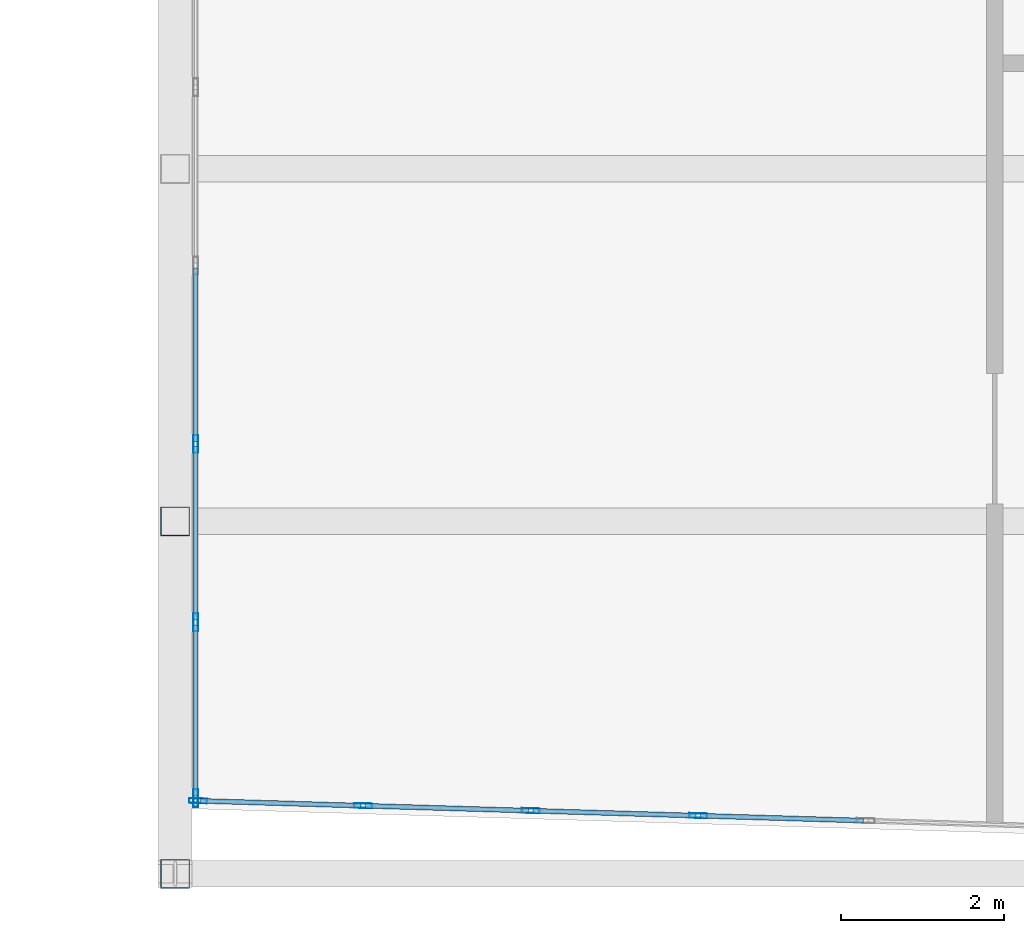
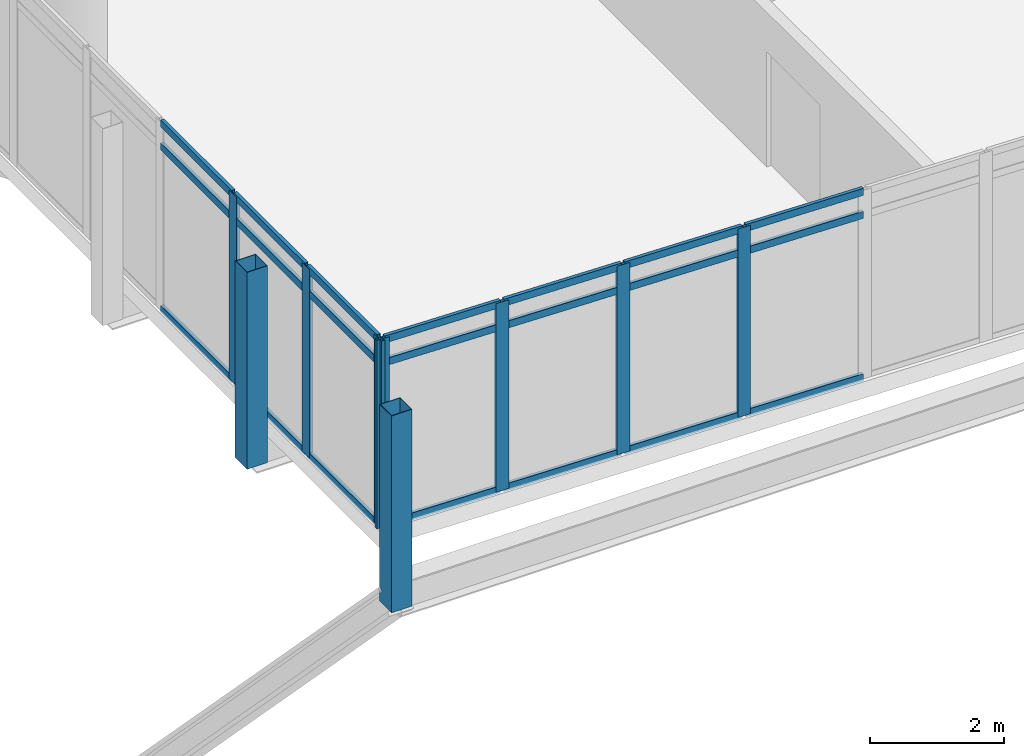
# One storey, part 2 of 37: 30 members, 2 elements without a shape of their own.
"""IFC4 building model written with IfcOpenShell, lengths in metres."""

from ifc_helpers import new_model, si_unit, direction, frame, origin, origin_2d, place, context, subcontext, project, spatial, hollow_rectangle, extrude, material, material_profile, profile_set, type_object, element, aggregate, save


model = new_model("IFC4")

# Units and contexts
model_context = context("Model", 3, precision=1e-05, world=origin(), true_north=direction((0.0, 1.0)))
body_context = subcontext(model_context, "Body", "Model", "MODEL_VIEW")
ifc_project = project(units=[si_unit("LENGTHUNIT", "METRE"), si_unit("AREAUNIT", "SQUARE_METRE"), si_unit("VOLUMEUNIT", "CUBIC_METRE"), si_unit("PLANEANGLEUNIT", "RADIAN"), si_unit("MASSUNIT", "GRAM", prefix="KILO")], contexts=[model_context])

# Site, building, storey
site_placement = place(None, origin())
site = spatial("IfcSite", under=ifc_project, at=site_placement, CompositionType="ELEMENT")
building_placement = place(site_placement, origin())
building = spatial("IfcBuilding", under=site, at=building_placement, Name="Ostrander Bayou Hotel Tower", CompositionType="ELEMENT")
storey_placement = place(building_placement, frame((0.0, 0.0, 131.0)))
storey = spatial("IfcBuildingStorey", under=building, at=storey_placement, Name="L32", CompositionType="ELEMENT", Elevation=131.0)

# Curtain wall, members
ifc_material_1 = material(Name="Aluminium and clear glass", Category="aluminium")
curtain_wall_type = type_object("IfcCurtainWallType", Name="CW-BAR glazed wall", PredefinedType="NOTDEFINED", material=ifc_material_1)
curtain_wall_1_placement = place(storey_placement, origin())
curtain_wall_1 = element("IfcCurtainWall", 1, at=curtain_wall_1_placement, inside=storey, type_object=curtain_wall_type, Name="CW-BAR L32:SB3S:E", PredefinedType="NOTDEFINED")
ifc_material_2 = material(Name="Aluminium", Category="aluminium")
ifc_material_profile_1 = material_profile(ifc_material_2, hollow_rectangle(XDim=0.06005859375, YDim=0.219970703125, WallThickness=0.00390625, at=origin_2d()))
ifc_profile_set_1 = profile_set([ifc_material_profile_1], Name="Aluminium")
member_type_1 = type_object("IfcMemberType", Name="CW-BR mullion 60 x 220 mm", PredefinedType="MULLION", material=ifc_profile_set_1)
member_1_placement = place(storey_placement, frame((-13.3671875, -26.17333984375, 0.0), z_axis=(0.0, 0.0, 1.0), x_axis=(1.0, 0.0, 0.0)))
member_1 = element("IfcMember", 2, at=member_1_placement, type_object=member_type_1, Name="CW-BAR mullion 8", PredefinedType="MULLION", context=body_context, shape_type="SweptSolid", body=[
    extrude(hollow_rectangle(XDim=0.06005859375, YDim=0.219970703125, WallThickness=0.00390625, at=origin_2d()), origin(), (0.0, 0.0, 1.0), 3.449951171875),
])
member_2_placement = place(storey_placement, frame((-13.3671875, -28.36279296875, 0.0), z_axis=(0.0, 0.0, 1.0), x_axis=(1.0, 0.0, 0.0)))
member_2 = element("IfcMember", 3, at=member_2_placement, type_object=member_type_1, Name="CW-BAR mullion 9", PredefinedType="MULLION", context=body_context, shape_type="SweptSolid", body=[
    extrude(hollow_rectangle(XDim=0.06005859375, YDim=0.219970703125, WallThickness=0.00390625, at=origin_2d()), origin(), (0.0, 0.0, 1.0), 3.449951171875),
])
member_3_placement = place(storey_placement, frame((-13.3671875, -30.522216796875, 0.0), z_axis=(0.0, 0.0, 1.0), x_axis=(1.0, 0.0, 0.0)))
member_3 = element("IfcMember", 4, at=member_3_placement, type_object=member_type_1, Name="CW-BAR mullion 10", PredefinedType="MULLION", context=body_context, shape_type="SweptSolid", body=[
    extrude(hollow_rectangle(XDim=0.06005859375, YDim=0.219970703125, WallThickness=0.00390625, at=origin_2d()), origin(), (0.0, 0.0, 1.0), 3.449951171875),
])

curtain_wall_2_placement = place(storey_placement, origin())
curtain_wall_2 = element("IfcCurtainWall", 5, at=curtain_wall_2_placement, inside=storey, type_object=curtain_wall_type, Name="CW-BAR L32:SB3S:T", PredefinedType="NOTDEFINED")
member_4_placement = place(storey_placement, frame((-13.337158203125, -30.552978515625, 0.0), z_axis=(0.0, 0.0, 1.0), x_axis=(0.029746242041, 0.999557482631, 0.0)))
member_4 = element("IfcMember", 6, at=member_4_placement, type_object=member_type_1, Name="CW-BAR mullion 1", PredefinedType="MULLION", context=body_context, shape_type="SweptSolid", body=[
    extrude(hollow_rectangle(XDim=0.06005859375, YDim=0.219970703125, WallThickness=0.00390625, at=origin_2d()), origin(), (0.0, 0.0, 1.0), 3.449951171875),
])
member_5_placement = place(storey_placement, frame((-11.310791015625, -30.61328125, 0.0), z_axis=(0.0, 0.0, 1.0), x_axis=(0.029746242041, 0.999557482631, 0.0)))
member_5 = element("IfcMember", 7, at=member_5_placement, type_object=member_type_1, Name="CW-BAR mullion 2", PredefinedType="MULLION", context=body_context, shape_type="SweptSolid", body=[
    extrude(hollow_rectangle(XDim=0.06005859375, YDim=0.219970703125, WallThickness=0.00390625, at=origin_2d()), origin(), (0.0, 0.0, 1.0), 3.449951171875),
])
member_6_placement = place(storey_placement, frame((-9.254150390625, -30.674560546875, 0.0), z_axis=(0.0, 0.0, 1.0), x_axis=(0.029746242041, 0.999557482631, 0.0)))
member_6 = element("IfcMember", 8, at=member_6_placement, type_object=member_type_1, Name="CW-BAR mullion 3", PredefinedType="MULLION", context=body_context, shape_type="SweptSolid", body=[
    extrude(hollow_rectangle(XDim=0.06005859375, YDim=0.219970703125, WallThickness=0.00390625, at=origin_2d()), origin(), (0.0, 0.0, 1.0), 3.449951171875),
])
member_7_placement = place(storey_placement, frame((-7.19775390625, -30.73583984375, 0.0), z_axis=(0.0, 0.0, 1.0), x_axis=(0.029746242041, 0.999557482631, 0.0)))
member_7 = element("IfcMember", 9, at=member_7_placement, type_object=member_type_1, Name="CW-BAR mullion 4", PredefinedType="MULLION", context=body_context, shape_type="SweptSolid", body=[
    extrude(hollow_rectangle(XDim=0.06005859375, YDim=0.219970703125, WallThickness=0.00390625, at=origin_2d()), origin(), (0.0, 0.0, 1.0), 3.449951171875),
])

# Member
ifc_material_3 = material(Name="Aluminium", Category="aluminium")
ifc_material_profile_2 = material_profile(ifc_material_3, hollow_rectangle(XDim=0.06005859375, YDim=0.1298828125, WallThickness=0.00390625, at=origin_2d()))
ifc_profile_set_2 = profile_set([ifc_material_profile_2], Name="Aluminium")
member_type_2 = type_object("IfcMemberType", Name="CW-BR transom 60 x 130 mm", PredefinedType="USERDEFINED", material=ifc_profile_set_2)
member_8_placement = place(storey_placement, frame((-13.3671875, -24.013916015625, 0.030029296875), z_axis=(0.0, -1.0, 0.0), x_axis=(1.0, 0.0, 0.0)))
member_8 = element("IfcMember", 10, at=member_8_placement, type_object=member_type_2, Name="CW-BAR transom 7.1", ObjectType="TRANSOM", PredefinedType="USERDEFINED", context=body_context, shape_type="SweptSolid", body=[
    extrude(hollow_rectangle(XDim=0.06005859375, YDim=0.1298828125, WallThickness=0.00390625, at=origin_2d()), origin(), (0.0, 0.0, 1.0), 2.12939453125),
])

member_9_placement = place(storey_placement, frame((-13.3671875, -24.013916015625, 3.0), z_axis=(0.0, -1.0, 0.0), x_axis=(1.0, 0.0, 0.0)))
member_9 = element("IfcMember", 11, at=member_9_placement, type_object=member_type_2, Name="CW-BAR transom 7.2", ObjectType="TRANSOM", PredefinedType="USERDEFINED", context=body_context, shape_type="SweptSolid", body=[
    extrude(hollow_rectangle(XDim=0.06005859375, YDim=0.1298828125, WallThickness=0.00390625, at=origin_2d()), origin(), (0.0, 0.0, 1.0), 2.12939453125),
])

member_10_placement = place(storey_placement, frame((-13.3671875, -24.013916015625, 3.419921875), z_axis=(0.0, -1.0, 0.0), x_axis=(1.0, 0.0, 0.0)))
member_10 = element("IfcMember", 12, at=member_10_placement, type_object=member_type_2, Name="CW-BAR transom 7.3", ObjectType="TRANSOM", PredefinedType="USERDEFINED", context=body_context, shape_type="SweptSolid", body=[
    extrude(hollow_rectangle(XDim=0.06005859375, YDim=0.1298828125, WallThickness=0.00390625, at=origin_2d()), origin(), (0.0, 0.0, 1.0), 2.12939453125),
])

member_11_placement = place(storey_placement, frame((-13.3671875, -26.203369140625, 0.030029296875), z_axis=(0.0, -1.0, 0.0), x_axis=(1.0, 0.0, 0.0)))
member_11 = element("IfcMember", 13, at=member_11_placement, type_object=member_type_2, Name="CW-BAR transom 8.1", ObjectType="TRANSOM", PredefinedType="USERDEFINED", context=body_context, shape_type="SweptSolid", body=[
    extrude(hollow_rectangle(XDim=0.06005859375, YDim=0.1298828125, WallThickness=0.00390625, at=origin_2d()), origin(), (0.0, 0.0, 1.0), 2.12939453125),
])

member_12_placement = place(storey_placement, frame((-13.3671875, -26.203369140625, 3.0), z_axis=(0.0, -1.0, 0.0), x_axis=(1.0, 0.0, 0.0)))
member_12 = element("IfcMember", 14, at=member_12_placement, type_object=member_type_2, Name="CW-BAR transom 8.2", ObjectType="TRANSOM", PredefinedType="USERDEFINED", context=body_context, shape_type="SweptSolid", body=[
    extrude(hollow_rectangle(XDim=0.06005859375, YDim=0.1298828125, WallThickness=0.00390625, at=origin_2d()), origin(), (0.0, 0.0, 1.0), 2.12939453125),
])

member_13_placement = place(storey_placement, frame((-13.3671875, -26.203369140625, 3.419921875), z_axis=(0.0, -1.0, 0.0), x_axis=(1.0, 0.0, 0.0)))
member_13 = element("IfcMember", 15, at=member_13_placement, type_object=member_type_2, Name="CW-BAR transom 8.3", ObjectType="TRANSOM", PredefinedType="USERDEFINED", context=body_context, shape_type="SweptSolid", body=[
    extrude(hollow_rectangle(XDim=0.06005859375, YDim=0.1298828125, WallThickness=0.00390625, at=origin_2d()), origin(), (0.0, 0.0, 1.0), 2.12939453125),
])

member_14_placement = place(storey_placement, frame((-13.3671875, -28.392822265625, 0.030029296875), z_axis=(0.0, -1.0, 0.0), x_axis=(1.0, 0.0, 0.0)))
member_14 = element("IfcMember", 16, at=member_14_placement, type_object=member_type_2, Name="CW-BAR transom 9.1", ObjectType="TRANSOM", PredefinedType="USERDEFINED", context=body_context, shape_type="SweptSolid", body=[
    extrude(hollow_rectangle(XDim=0.06005859375, YDim=0.1298828125, WallThickness=0.00390625, at=origin_2d()), origin(), (0.0, 0.0, 1.0), 2.099365234375),
])

member_15_placement = place(storey_placement, frame((-13.3671875, -28.392822265625, 3.0), z_axis=(0.0, -1.0, 0.0), x_axis=(1.0, 0.0, 0.0)))
member_15 = element("IfcMember", 17, at=member_15_placement, type_object=member_type_2, Name="CW-BAR transom 9.2", ObjectType="TRANSOM", PredefinedType="USERDEFINED", context=body_context, shape_type="SweptSolid", body=[
    extrude(hollow_rectangle(XDim=0.06005859375, YDim=0.1298828125, WallThickness=0.00390625, at=origin_2d()), origin(), (0.0, 0.0, 1.0), 2.099365234375),
])

member_16_placement = place(storey_placement, frame((-13.3671875, -28.392822265625, 3.419921875), z_axis=(0.0, -1.0, 0.0), x_axis=(1.0, 0.0, 0.0)))
member_16 = element("IfcMember", 18, at=member_16_placement, type_object=member_type_2, Name="CW-BAR transom 9.3", ObjectType="TRANSOM", PredefinedType="USERDEFINED", context=body_context, shape_type="SweptSolid", body=[
    extrude(hollow_rectangle(XDim=0.06005859375, YDim=0.1298828125, WallThickness=0.00390625, at=origin_2d()), origin(), (0.0, 0.0, 1.0), 2.099365234375),
])

aggregate(curtain_wall_1, [member_1, member_2, member_3, member_8, member_9, member_10, member_11, member_12, member_13, member_14, member_15, member_16])

member_17_placement = place(storey_placement, frame((-13.30712890625, -30.553955078125, 0.030029296875), z_axis=(0.999556419591, -0.029781941738, 0.0), x_axis=(0.029781941738, 0.999556419591, 0.0)))
member_17 = element("IfcMember", 19, at=member_17_placement, type_object=member_type_2, Name="CW-BAR transom 1.1", ObjectType="TRANSOM", PredefinedType="USERDEFINED", context=body_context, shape_type="SweptSolid", body=[
    extrude(hollow_rectangle(XDim=0.06005859375, YDim=0.1298828125, WallThickness=0.00390625, at=origin_2d()), origin(), (0.0, 0.0, 1.0), 1.967529296875),
])

member_18_placement = place(storey_placement, frame((-13.30712890625, -30.553955078125, 3.0), z_axis=(0.999556419591, -0.029781941738, 0.0), x_axis=(0.029781941738, 0.999556419591, 0.0)))
member_18 = element("IfcMember", 20, at=member_18_placement, type_object=member_type_2, Name="CW-BAR transom 1.2", ObjectType="TRANSOM", PredefinedType="USERDEFINED", context=body_context, shape_type="SweptSolid", body=[
    extrude(hollow_rectangle(XDim=0.06005859375, YDim=0.1298828125, WallThickness=0.00390625, at=origin_2d()), origin(), (0.0, 0.0, 1.0), 1.967529296875),
])

member_19_placement = place(storey_placement, frame((-13.30712890625, -30.553955078125, 3.419921875), z_axis=(0.999556419591, -0.029781941738, 0.0), x_axis=(0.029781941738, 0.999556419591, 0.0)))
member_19 = element("IfcMember", 21, at=member_19_placement, type_object=member_type_2, Name="CW-BAR transom 1.3", ObjectType="TRANSOM", PredefinedType="USERDEFINED", context=body_context, shape_type="SweptSolid", body=[
    extrude(hollow_rectangle(XDim=0.06005859375, YDim=0.1298828125, WallThickness=0.00390625, at=origin_2d()), origin(), (0.0, 0.0, 1.0), 1.967529296875),
])

member_20_placement = place(storey_placement, frame((-11.28076171875, -30.6142578125, 0.030029296875), z_axis=(0.999555199151, -0.029822874614, 0.0), x_axis=(0.029822874614, 0.999555199151, 0.0)))
member_20 = element("IfcMember", 22, at=member_20_placement, type_object=member_type_2, Name="CW-BAR transom 2.1", ObjectType="TRANSOM", PredefinedType="USERDEFINED", context=body_context, shape_type="SweptSolid", body=[
    extrude(hollow_rectangle(XDim=0.06005859375, YDim=0.1298828125, WallThickness=0.00390625, at=origin_2d()), origin(), (0.0, 0.0, 1.0), 1.99755859375),
])

member_21_placement = place(storey_placement, frame((-11.28076171875, -30.6142578125, 3.0), z_axis=(0.999555199151, -0.029822874614, 0.0), x_axis=(0.029822874614, 0.999555199151, 0.0)))
member_21 = element("IfcMember", 23, at=member_21_placement, type_object=member_type_2, Name="CW-BAR transom 2.2", ObjectType="TRANSOM", PredefinedType="USERDEFINED", context=body_context, shape_type="SweptSolid", body=[
    extrude(hollow_rectangle(XDim=0.06005859375, YDim=0.1298828125, WallThickness=0.00390625, at=origin_2d()), origin(), (0.0, 0.0, 1.0), 1.99755859375),
])

member_22_placement = place(storey_placement, frame((-11.28076171875, -30.6142578125, 3.419921875), z_axis=(0.999555199151, -0.029822874614, 0.0), x_axis=(0.029822874614, 0.999555199151, 0.0)))
member_22 = element("IfcMember", 24, at=member_22_placement, type_object=member_type_2, Name="CW-BAR transom 2.3", ObjectType="TRANSOM", PredefinedType="USERDEFINED", context=body_context, shape_type="SweptSolid", body=[
    extrude(hollow_rectangle(XDim=0.06005859375, YDim=0.1298828125, WallThickness=0.00390625, at=origin_2d()), origin(), (0.0, 0.0, 1.0), 1.99755859375),
])

member_23_placement = place(storey_placement, frame((-9.22412109375, -30.675537109375, 0.030029296875), z_axis=(0.999558727342, -0.029704386785, 0.0), x_axis=(0.029704386785, 0.999558727342, 0.0)))
member_23 = element("IfcMember", 25, at=member_23_placement, type_object=member_type_2, Name="CW-BAR transom 3.1", ObjectType="TRANSOM", PredefinedType="USERDEFINED", context=body_context, shape_type="SweptSolid", body=[
    extrude(hollow_rectangle(XDim=0.06005859375, YDim=0.1298828125, WallThickness=0.00390625, at=origin_2d()), origin(), (0.0, 0.0, 1.0), 1.997314453125),
])

member_24_placement = place(storey_placement, frame((-9.22412109375, -30.675537109375, 3.0), z_axis=(0.999558727342, -0.029704386785, 0.0), x_axis=(0.029704386785, 0.999558727342, 0.0)))
member_24 = element("IfcMember", 26, at=member_24_placement, type_object=member_type_2, Name="CW-BAR transom 3.2", ObjectType="TRANSOM", PredefinedType="USERDEFINED", context=body_context, shape_type="SweptSolid", body=[
    extrude(hollow_rectangle(XDim=0.06005859375, YDim=0.1298828125, WallThickness=0.00390625, at=origin_2d()), origin(), (0.0, 0.0, 1.0), 1.997314453125),
])

member_25_placement = place(storey_placement, frame((-9.22412109375, -30.675537109375, 3.419921875), z_axis=(0.999558727342, -0.029704386785, 0.0), x_axis=(0.029704386785, 0.999558727342, 0.0)))
member_25 = element("IfcMember", 27, at=member_25_placement, type_object=member_type_2, Name="CW-BAR transom 3.3", ObjectType="TRANSOM", PredefinedType="USERDEFINED", context=body_context, shape_type="SweptSolid", body=[
    extrude(hollow_rectangle(XDim=0.06005859375, YDim=0.1298828125, WallThickness=0.00390625, at=origin_2d()), origin(), (0.0, 0.0, 1.0), 1.997314453125),
])

member_26_placement = place(storey_placement, frame((-7.167724609375, -30.736572265625, 0.030029296875), z_axis=(0.999555199151, -0.029822874614, 0.0), x_axis=(0.029822874614, 0.999555199151, 0.0)))
member_26 = element("IfcMember", 28, at=member_26_placement, type_object=member_type_2, Name="CW-BAR transom 4.1", ObjectType="TRANSOM", PredefinedType="USERDEFINED", context=body_context, shape_type="SweptSolid", body=[
    extrude(hollow_rectangle(XDim=0.06005859375, YDim=0.1298828125, WallThickness=0.00390625, at=origin_2d()), origin(), (0.0, 0.0, 1.0), 1.99755859375),
])

member_27_placement = place(storey_placement, frame((-7.167724609375, -30.736572265625, 3.0), z_axis=(0.999555199151, -0.029822874614, 0.0), x_axis=(0.029822874614, 0.999555199151, 0.0)))
member_27 = element("IfcMember", 29, at=member_27_placement, type_object=member_type_2, Name="CW-BAR transom 4.2", ObjectType="TRANSOM", PredefinedType="USERDEFINED", context=body_context, shape_type="SweptSolid", body=[
    extrude(hollow_rectangle(XDim=0.06005859375, YDim=0.1298828125, WallThickness=0.00390625, at=origin_2d()), origin(), (0.0, 0.0, 1.0), 1.99755859375),
])

member_28_placement = place(storey_placement, frame((-7.167724609375, -30.736572265625, 3.419921875), z_axis=(0.999555199151, -0.029822874614, 0.0), x_axis=(0.029822874614, 0.999555199151, 0.0)))
member_28 = element("IfcMember", 30, at=member_28_placement, type_object=member_type_2, Name="CW-BAR transom 4.3", ObjectType="TRANSOM", PredefinedType="USERDEFINED", context=body_context, shape_type="SweptSolid", body=[
    extrude(hollow_rectangle(XDim=0.06005859375, YDim=0.1298828125, WallThickness=0.00390625, at=origin_2d()), origin(), (0.0, 0.0, 1.0), 1.99755859375),
])

aggregate(curtain_wall_2, [member_4, member_5, member_6, member_7, member_17, member_18, member_19, member_20, member_21, member_22, member_23, member_24, member_25, member_26, member_27, member_28])

# Members
ifc_material_4 = material(Name="Steel ASTM A500 Gr C", Category="steel")
ifc_material_profile_3 = material_profile(ifc_material_4, hollow_rectangle(XDim=0.355712890625, YDim=0.355712890625, WallThickness=0.0087890625, at=origin_2d()))
ifc_profile_set_3 = profile_set([ifc_material_profile_3], Name="Steel ASTM A500 Gr C")
member_type_3 = type_object("IfcMemberType", Name="TH3 bar hanger HSS14x14x3/8", PredefinedType="POST", material=ifc_profile_set_3)
for number, where, z_axis, x_axis, name in (
    (31, (-13.6201171875, -27.122314453125, -0.771728515625), (0.0, 0.0, 1.0), (1.0, 0.0, 0.0), "TH3 SB3SA H2-1"),
    (32, (-13.6201171875, -31.449951171875, -0.771728515625), (0.0, 0.0, 1.0), (1.0, 0.0, 0.0), "TH3 SB3SA H3-1"),
):
    element("IfcMember", number, at=place(storey_placement, frame(where, z_axis=z_axis, x_axis=x_axis)), inside=storey, type_object=member_type_3, Name=name, PredefinedType="POST", context=body_context, shape_type="SweptSolid", body=[
        extrude(hollow_rectangle(XDim=0.355712890625, YDim=0.355712890625, WallThickness=0.0087890625, at=origin_2d()), origin(), (0.0, 0.0, 1.0), 3.599853515625),
    ])

save(model, "model.ifc")
